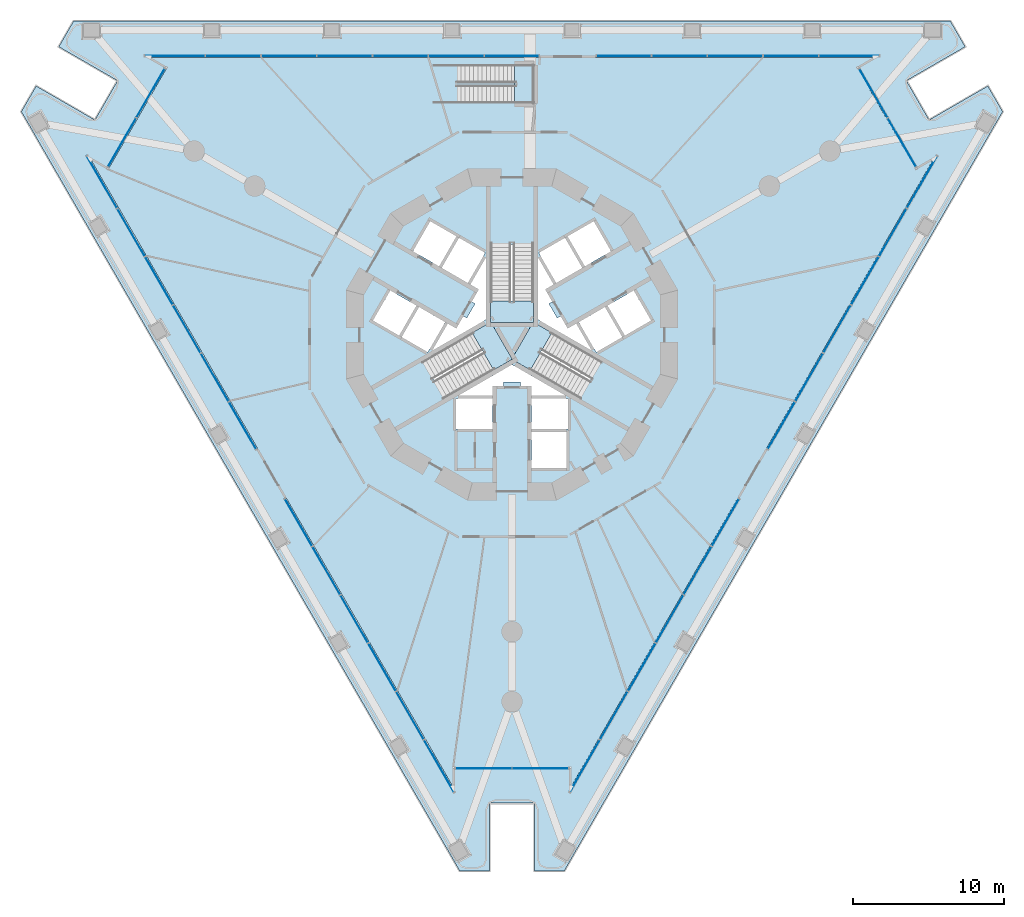
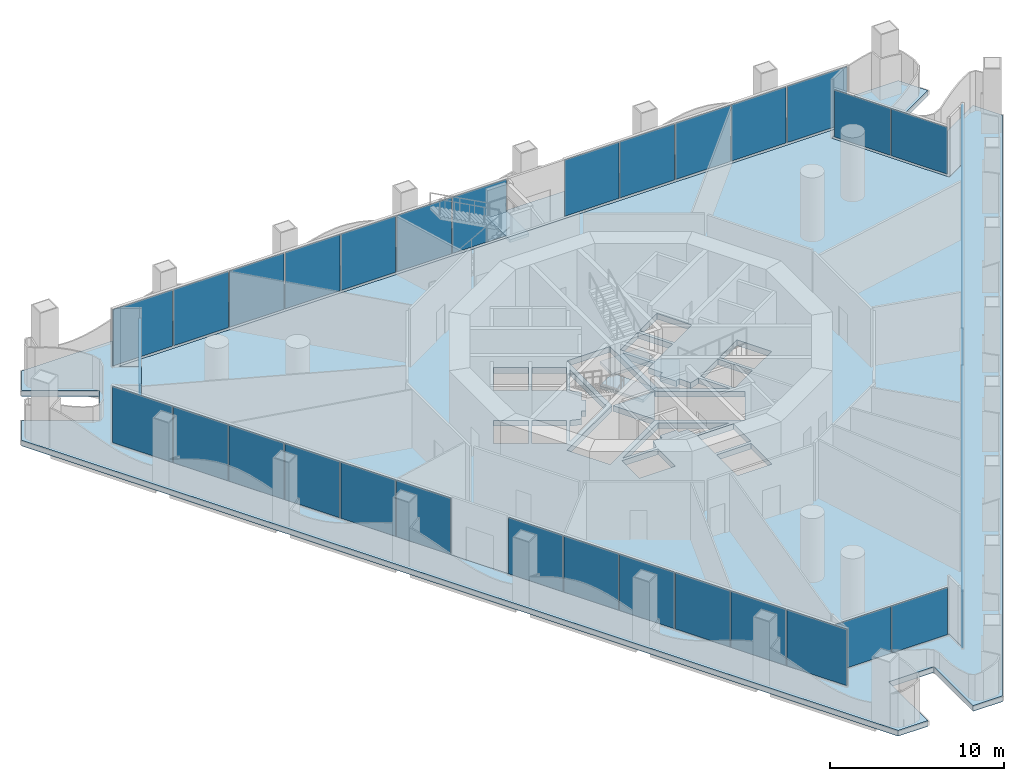
# One storey, part 9 of 21: 42 plates, 7 slabs, 13 elements without a shape of their own.
"""IFC4 building model written with IfcOpenShell, lengths in metres."""

from ifc_helpers import new_model, si_unit, direction, frame, origin, origin_2d, place, context, subcontext, project, spatial, polyline, rectangle, outline, extrude, material, layer, layer_set, type_object, element, aggregate, save


model = new_model("IFC4")

# Units and contexts
model_context = context("Model", 3, precision=1e-05, world=origin(), true_north=direction((0.0, 1.0)))
body_context = subcontext(model_context, "Body", "Model", "MODEL_VIEW")
ifc_project = project(units=[si_unit("LENGTHUNIT", "METRE"), si_unit("AREAUNIT", "SQUARE_METRE"), si_unit("VOLUMEUNIT", "CUBIC_METRE"), si_unit("PLANEANGLEUNIT", "RADIAN"), si_unit("MASSUNIT", "GRAM", prefix="KILO")], contexts=[model_context])

# Site, building, storey
site_placement = place(None, origin())
site = spatial("IfcSite", under=ifc_project, at=site_placement, CompositionType="ELEMENT")
building_placement = place(site_placement, origin())
building = spatial("IfcBuilding", under=site, at=building_placement, Name="Trine Commons Tower", CompositionType="ELEMENT")
storey_placement = place(building_placement, frame((0.0, 0.0, 9.0)))
storey = spatial("IfcBuildingStorey", under=building, at=storey_placement, Name="L01", CompositionType="ELEMENT", Elevation=9.0)

# Curtain wall, plates
ifc_material_1 = material(Name="Corner pocket glazing: anodised aluminium frame with low-emissivity double glazed unit, laminated", Category="aluminium")
ifc_layer_1 = layer(ifc_material_1, 0.179931640625)
ifc_layer_set_1 = layer_set([ifc_layer_1], Name="Corner pocket glazing: anodised aluminium frame with low-emissivity double glazed unit, laminated")
curtain_wall_type_1 = type_object("IfcCurtainWallType", Name="Corner pocket glazing curtain wall CW8", PredefinedType="NOTDEFINED", material=ifc_layer_set_1)
curtain_wall_1_placement = place(storey_placement, origin())
curtain_wall_1 = element("IfcCurtainWall", 1, at=curtain_wall_1_placement, inside=storey, type_object=curtain_wall_type_1, Name="Corner pocket glazing L01 P1.1", PredefinedType="NOTDEFINED")
ifc_material_2 = material(Name="Low-emissivity double glazed unit, laminated")
ifc_layer_2 = layer(ifc_material_2, 0.030029296875)
ifc_layer_set_2 = layer_set([ifc_layer_2], Name="Low-emissivity double glazed unit, laminated")
plate_type_1 = type_object("IfcPlateType", Name="Double glazed unit 30 mm (corner pockets)", PredefinedType="CURTAIN_PANEL", material=ifc_layer_set_2)
plate_1_placement = place(storey_placement, frame((54.15185546875, 75.248291015625, 0.08984375), z_axis=(0.0, 0.0, 1.0), x_axis=(0.5, 0.866025403784, 0.0)))
plate_1 = element("IfcPlate", 2, at=plate_1_placement, type_object=plate_type_1, Name="CW8 panel 1.1", PredefinedType="CURTAIN_PANEL", context=body_context, shape_type="SweptSolid", body=[
    extrude(rectangle(XDim=3.702392578125, YDim=0.030029296875, at=origin_2d()), origin(), (0.0, 0.0, 1.0), 3.300048828125),
])
plate_2_placement = place(storey_placement, frame((56.03564453125, 78.510986328125, 0.08984375), z_axis=(0.0, 0.0, 1.0), x_axis=(0.5, 0.866025403784, 0.0)))
plate_2 = element("IfcPlate", 3, at=plate_2_placement, type_object=plate_type_1, Name="CW8 panel 2.1", PredefinedType="CURTAIN_PANEL", context=body_context, shape_type="SweptSolid", body=[
    extrude(rectangle(XDim=3.702392578125, YDim=0.030029296875, at=origin_2d()), origin(), (0.0, 0.0, 1.0), 3.300048828125),
])
aggregate(curtain_wall_1, [plate_1, plate_2])

curtain_wall_2_placement = place(storey_placement, origin())
curtain_wall_2 = element("IfcCurtainWall", 4, at=curtain_wall_2_placement, inside=storey, type_object=curtain_wall_type_1, Name="Corner pocket glazing L01 P2.1", PredefinedType="NOTDEFINED")
plate_3_placement = place(storey_placement, frame((103.96435546875, 78.510986328125, 0.08984375), z_axis=(0.0, 0.0, 1.0), x_axis=(0.5, -0.866025403784, 0.0)))
plate_3 = element("IfcPlate", 5, at=plate_3_placement, type_object=plate_type_1, Name="CW8 panel 1.1", PredefinedType="CURTAIN_PANEL", context=body_context, shape_type="SweptSolid", body=[
    extrude(rectangle(XDim=3.702392578125, YDim=0.030029296875, at=origin_2d()), origin(), (0.0, 0.0, 1.0), 3.300048828125),
])
plate_4_placement = place(storey_placement, frame((105.84814453125, 75.248291015625, 0.08984375), z_axis=(0.0, 0.0, 1.0), x_axis=(0.5, -0.866025403784, 0.0)))
plate_4 = element("IfcPlate", 6, at=plate_4_placement, type_object=plate_type_1, Name="CW8 panel 2.1", PredefinedType="CURTAIN_PANEL", context=body_context, shape_type="SweptSolid", body=[
    extrude(rectangle(XDim=3.702392578125, YDim=0.030029296875, at=origin_2d()), origin(), (0.0, 0.0, 1.0), 3.300048828125),
])
aggregate(curtain_wall_2, [plate_3, plate_4])

curtain_wall_3_placement = place(storey_placement, origin())
curtain_wall_3 = element("IfcCurtainWall", 7, at=curtain_wall_3_placement, inside=storey, type_object=curtain_wall_type_1, Name="Corner pocket glazing L01 P3.1", PredefinedType="NOTDEFINED")
plate_5_placement = place(storey_placement, frame((81.8837890625, 33.74072265625, 0.08984375), z_axis=(0.0, 0.0, 1.0), x_axis=(-1.0, 0.0, 0.0)))
plate_5 = element("IfcPlate", 8, at=plate_5_placement, type_object=plate_type_1, Name="CW8 panel 1.1", PredefinedType="CURTAIN_PANEL", context=body_context, shape_type="SweptSolid", body=[
    extrude(rectangle(XDim=3.702392578125, YDim=0.030029296875, at=origin_2d()), origin(), (0.0, 0.0, 1.0), 3.300048828125),
])
plate_6_placement = place(storey_placement, frame((78.1162109375, 33.74072265625, 0.08984375), z_axis=(0.0, 0.0, 1.0), x_axis=(-1.0, 0.0, 0.0)))
plate_6 = element("IfcPlate", 9, at=plate_6_placement, type_object=plate_type_1, Name="CW8 panel 2.1", PredefinedType="CURTAIN_PANEL", context=body_context, shape_type="SweptSolid", body=[
    extrude(rectangle(XDim=3.702392578125, YDim=0.030029296875, at=origin_2d()), origin(), (0.0, 0.0, 1.0), 3.300048828125),
])
aggregate(curtain_wall_3, [plate_5, plate_6])

ifc_material_3 = material(Name="Podium glazing: anodised aluminium frame with low-emissivity double glazed unit", Category="aluminium")
ifc_layer_3 = layer(ifc_material_3, 0.199951171875)
ifc_layer_set_3 = layer_set([ifc_layer_3], Name="Podium glazing: anodised aluminium frame with low-emissivity double glazed unit")
curtain_wall_type_2 = type_object("IfcCurtainWallType", Name="Podium glazing curtain wall CW3", PredefinedType="NOTDEFINED", material=ifc_layer_set_3)
curtain_wall_4_placement = place(storey_placement, origin())
curtain_wall_4 = element("IfcCurtainWall", 10, at=curtain_wall_4_placement, inside=storey, type_object=curtain_wall_type_2, Name="Podium glazing L01 F1.1", PredefinedType="NOTDEFINED")
ifc_material_4 = material(Name="Low-emissivity double glazed unit")
ifc_layer_4 = layer(ifc_material_4, 0.031982421875)
ifc_layer_set_4 = layer_set([ifc_layer_4], Name="Low-emissivity double glazed unit")
plate_type_2 = type_object("IfcPlateType", Name="Double glazed unit 32 mm", PredefinedType="CURTAIN_PANEL", material=ifc_layer_set_4)
plate_7_placement = place(storey_placement, frame((57.638427734375, 80.984619140625, 0.10009765625), z_axis=(0.0, 0.0, 1.0), x_axis=(1.0, 0.0, 0.0)))
plate_7 = element("IfcPlate", 11, at=plate_7_placement, type_object=plate_type_2, Name="CW3 panel 1.1", PredefinedType="CURTAIN_PANEL", context=body_context, shape_type="SweptSolid", body=[
    extrude(rectangle(XDim=3.959716796875, YDim=0.031982421875, at=origin_2d()), origin(), (0.0, 0.0, 1.0), 3.949951171875),
])
plate_8_placement = place(storey_placement, frame((61.50537109375, 80.984619140625, 0.10009765625), z_axis=(0.0, 0.0, 1.0), x_axis=(1.0, 0.0, 0.0)))
plate_8 = element("IfcPlate", 12, at=plate_8_placement, type_object=plate_type_2, Name="CW3 panel 2.1", PredefinedType="CURTAIN_PANEL", context=body_context, shape_type="SweptSolid", body=[
    extrude(rectangle(XDim=3.623779296875, YDim=0.031982421875, at=origin_2d()), origin(), (0.0, 0.0, 1.0), 3.949951171875),
])
plate_9_placement = place(storey_placement, frame((65.2041015625, 80.984619140625, 0.10009765625), z_axis=(0.0, 0.0, 1.0), x_axis=(1.0, 0.0, 0.0)))
plate_9 = element("IfcPlate", 13, at=plate_9_placement, type_object=plate_type_2, Name="CW3 panel 3.1", PredefinedType="CURTAIN_PANEL", context=body_context, shape_type="SweptSolid", body=[
    extrude(rectangle(XDim=3.623779296875, YDim=0.031982421875, at=origin_2d()), origin(), (0.0, 0.0, 1.0), 3.949951171875),
])
plate_10_placement = place(storey_placement, frame((68.903076171875, 80.984619140625, 0.10009765625), z_axis=(0.0, 0.0, 1.0), x_axis=(1.0, 0.0, 0.0)))
plate_10 = element("IfcPlate", 14, at=plate_10_placement, type_object=plate_type_2, Name="CW3 panel 4.1", PredefinedType="CURTAIN_PANEL", context=body_context, shape_type="SweptSolid", body=[
    extrude(rectangle(XDim=3.623779296875, YDim=0.031982421875, at=origin_2d()), origin(), (0.0, 0.0, 1.0), 3.949951171875),
])
plate_11_placement = place(storey_placement, frame((72.60205078125, 80.984619140625, 0.10009765625), z_axis=(0.0, 0.0, 1.0), x_axis=(1.0, 0.0, 0.0)))
plate_11 = element("IfcPlate", 15, at=plate_11_placement, type_object=plate_type_2, Name="CW3 panel 5.1", PredefinedType="CURTAIN_PANEL", context=body_context, shape_type="SweptSolid", body=[
    extrude(rectangle(XDim=3.623779296875, YDim=0.031982421875, at=origin_2d()), origin(), (0.0, 0.0, 1.0), 3.949951171875),
])
plate_12_placement = place(storey_placement, frame((76.30078125, 80.984619140625, 0.10009765625), z_axis=(0.0, 0.0, 1.0), x_axis=(1.0, 0.0, 0.0)))
plate_12 = element("IfcPlate", 16, at=plate_12_placement, type_object=plate_type_2, Name="CW3 panel 6.1", PredefinedType="CURTAIN_PANEL", context=body_context, shape_type="SweptSolid", body=[
    extrude(rectangle(XDim=3.623779296875, YDim=0.031982421875, at=origin_2d()), origin(), (0.0, 0.0, 1.0), 3.949951171875),
])
plate_13_placement = place(storey_placement, frame((79.98095703125, 80.984619140625, 0.10009765625), z_axis=(0.0, 0.0, 1.0), x_axis=(1.0, 0.0, 0.0)))
plate_13 = element("IfcPlate", 17, at=plate_13_placement, type_object=plate_type_2, Name="CW3 panel 7.1", PredefinedType="CURTAIN_PANEL", context=body_context, shape_type="SweptSolid", body=[
    extrude(rectangle(XDim=3.58642578125, YDim=0.031982421875, at=origin_2d()), origin(), (0.0, 0.0, 1.0), 3.949951171875),
])
aggregate(curtain_wall_4, [plate_7, plate_8, plate_9, plate_10, plate_11, plate_12, plate_13])

curtain_wall_5_placement = place(storey_placement, origin())
curtain_wall_5 = element("IfcCurtainWall", 18, at=curtain_wall_5_placement, inside=storey, type_object=curtain_wall_type_2, Name="Podium glazing L01 F1.2", PredefinedType="NOTDEFINED")
plate_14_placement = place(storey_placement, frame((87.416259765625, 80.984619140625, 0.10009765625), z_axis=(0.0, 0.0, 1.0), x_axis=(1.0, 0.0, 0.0)))
plate_14 = element("IfcPlate", 19, at=plate_14_placement, type_object=plate_type_2, Name="CW3 panel 1.1", PredefinedType="CURTAIN_PANEL", context=body_context, shape_type="SweptSolid", body=[
    extrude(rectangle(XDim=3.58642578125, YDim=0.031982421875, at=origin_2d()), origin(), (0.0, 0.0, 1.0), 3.949951171875),
])
plate_15_placement = place(storey_placement, frame((91.096435546875, 80.984619140625, 0.10009765625), z_axis=(0.0, 0.0, 1.0), x_axis=(1.0, 0.0, 0.0)))
plate_15 = element("IfcPlate", 20, at=plate_15_placement, type_object=plate_type_2, Name="CW3 panel 2.1", PredefinedType="CURTAIN_PANEL", context=body_context, shape_type="SweptSolid", body=[
    extrude(rectangle(XDim=3.623779296875, YDim=0.031982421875, at=origin_2d()), origin(), (0.0, 0.0, 1.0), 3.949951171875),
])
plate_16_placement = place(storey_placement, frame((94.79541015625, 80.984619140625, 0.10009765625), z_axis=(0.0, 0.0, 1.0), x_axis=(1.0, 0.0, 0.0)))
plate_16 = element("IfcPlate", 21, at=plate_16_placement, type_object=plate_type_2, Name="CW3 panel 3.1", PredefinedType="CURTAIN_PANEL", context=body_context, shape_type="SweptSolid", body=[
    extrude(rectangle(XDim=3.623779296875, YDim=0.031982421875, at=origin_2d()), origin(), (0.0, 0.0, 1.0), 3.949951171875),
])
plate_17_placement = place(storey_placement, frame((98.494384765625, 80.984619140625, 0.10009765625), z_axis=(0.0, 0.0, 1.0), x_axis=(1.0, 0.0, 0.0)))
plate_17 = element("IfcPlate", 22, at=plate_17_placement, type_object=plate_type_2, Name="CW3 panel 4.1", PredefinedType="CURTAIN_PANEL", context=body_context, shape_type="SweptSolid", body=[
    extrude(rectangle(XDim=3.623779296875, YDim=0.031982421875, at=origin_2d()), origin(), (0.0, 0.0, 1.0), 3.949951171875),
])
plate_18_placement = place(storey_placement, frame((102.361328125, 80.984619140625, 0.10009765625), z_axis=(0.0, 0.0, 1.0), x_axis=(1.0, 0.0, 0.0)))
plate_18 = element("IfcPlate", 23, at=plate_18_placement, type_object=plate_type_2, Name="CW3 panel 5.1", PredefinedType="CURTAIN_PANEL", context=body_context, shape_type="SweptSolid", body=[
    extrude(rectangle(XDim=3.960205078125, YDim=0.031982421875, at=origin_2d()), origin(), (0.0, 0.0, 1.0), 3.949951171875),
])
aggregate(curtain_wall_5, [plate_14, plate_15, plate_16, plate_17, plate_18])

curtain_wall_6_placement = place(storey_placement, origin())
curtain_wall_6 = element("IfcCurtainWall", 24, at=curtain_wall_6_placement, inside=storey, type_object=curtain_wall_type_2, Name="Podium glazing L01 F2.1", PredefinedType="NOTDEFINED")
plate_19_placement = place(storey_placement, frame((107.18896484375, 72.623291015625, 0.10009765625), z_axis=(0.0, 0.0, 1.0), x_axis=(-0.5, -0.866025403784, 0.0)))
plate_19 = element("IfcPlate", 25, at=plate_19_placement, type_object=plate_type_2, Name="CW3 panel 1.1", PredefinedType="CURTAIN_PANEL", context=body_context, shape_type="SweptSolid", body=[
    extrude(rectangle(XDim=3.959716796875, YDim=0.031982421875, at=origin_2d()), origin(), (0.0, 0.0, 1.0), 3.949951171875),
])
plate_20_placement = place(storey_placement, frame((105.255615234375, 69.274658203125, 0.10009765625), z_axis=(0.0, 0.0, 1.0), x_axis=(-0.5, -0.866025403784, 0.0)))
plate_20 = element("IfcPlate", 26, at=plate_20_placement, type_object=plate_type_2, Name="CW3 panel 2.1", PredefinedType="CURTAIN_PANEL", context=body_context, shape_type="SweptSolid", body=[
    extrude(rectangle(XDim=3.623779296875, YDim=0.031982421875, at=origin_2d()), origin(), (0.0, 0.0, 1.0), 3.949951171875),
])
plate_21_placement = place(storey_placement, frame((103.406005859375, 66.0712890625, 0.10009765625), z_axis=(0.0, 0.0, 1.0), x_axis=(-0.5, -0.866025403784, 0.0)))
plate_21 = element("IfcPlate", 27, at=plate_21_placement, type_object=plate_type_2, Name="CW3 panel 3.1", PredefinedType="CURTAIN_PANEL", context=body_context, shape_type="SweptSolid", body=[
    extrude(rectangle(XDim=3.623779296875, YDim=0.031982421875, at=origin_2d()), origin(), (0.0, 0.0, 1.0), 3.949951171875),
])
plate_22_placement = place(storey_placement, frame((101.556640625, 62.867919921875, 0.10009765625), z_axis=(0.0, 0.0, 1.0), x_axis=(-0.5, -0.866025403784, 0.0)))
plate_22 = element("IfcPlate", 28, at=plate_22_placement, type_object=plate_type_2, Name="CW3 panel 4.1", PredefinedType="CURTAIN_PANEL", context=body_context, shape_type="SweptSolid", body=[
    extrude(rectangle(XDim=3.623779296875, YDim=0.031982421875, at=origin_2d()), origin(), (0.0, 0.0, 1.0), 3.949951171875),
])
plate_23_placement = place(storey_placement, frame((99.707275390625, 59.66455078125, 0.10009765625), z_axis=(0.0, 0.0, 1.0), x_axis=(-0.5, -0.866025403784, 0.0)))
plate_23 = element("IfcPlate", 29, at=plate_23_placement, type_object=plate_type_2, Name="CW3 panel 5.1", PredefinedType="CURTAIN_PANEL", context=body_context, shape_type="SweptSolid", body=[
    extrude(rectangle(XDim=3.623779296875, YDim=0.031982421875, at=origin_2d()), origin(), (0.0, 0.0, 1.0), 3.949951171875),
])
plate_24_placement = place(storey_placement, frame((97.8671875, 56.4775390625, 0.10009765625), z_axis=(0.0, 0.0, 1.0), x_axis=(-0.5, -0.866025403784, 0.0)))
plate_24 = element("IfcPlate", 30, at=plate_24_placement, type_object=plate_type_2, Name="CW3 panel 6.1", PredefinedType="CURTAIN_PANEL", context=body_context, shape_type="SweptSolid", body=[
    extrude(rectangle(XDim=3.58642578125, YDim=0.031982421875, at=origin_2d()), origin(), (0.0, 0.0, 1.0), 3.949951171875),
])
aggregate(curtain_wall_6, [plate_19, plate_20, plate_21, plate_22, plate_23, plate_24])

curtain_wall_7_placement = place(storey_placement, origin())
curtain_wall_7 = element("IfcCurtainWall", 31, at=curtain_wall_7_placement, inside=storey, type_object=curtain_wall_type_2, Name="Podium glazing L01 F2.2", PredefinedType="NOTDEFINED")
plate_25_placement = place(storey_placement, frame((94.1494140625, 50.038330078125, 0.10009765625), z_axis=(0.0, 0.0, 1.0), x_axis=(-0.5, -0.866025403784, 0.0)))
plate_25 = element("IfcPlate", 32, at=plate_25_placement, type_object=plate_type_2, Name="CW3 panel 1.1", PredefinedType="CURTAIN_PANEL", context=body_context, shape_type="SweptSolid", body=[
    extrude(rectangle(XDim=3.58642578125, YDim=0.031982421875, at=origin_2d()), origin(), (0.0, 0.0, 1.0), 3.949951171875),
])
plate_26_placement = place(storey_placement, frame((92.309326171875, 46.851318359375, 0.10009765625), z_axis=(0.0, 0.0, 1.0), x_axis=(-0.5, -0.866025403784, 0.0)))
plate_26 = element("IfcPlate", 33, at=plate_26_placement, type_object=plate_type_2, Name="CW3 panel 2.1", PredefinedType="CURTAIN_PANEL", context=body_context, shape_type="SweptSolid", body=[
    extrude(rectangle(XDim=3.623779296875, YDim=0.031982421875, at=origin_2d()), origin(), (0.0, 0.0, 1.0), 3.949951171875),
])
plate_27_placement = place(storey_placement, frame((90.4599609375, 43.64794921875, 0.10009765625), z_axis=(0.0, 0.0, 1.0), x_axis=(-0.5, -0.866025403784, 0.0)))
plate_27 = element("IfcPlate", 34, at=plate_27_placement, type_object=plate_type_2, Name="CW3 panel 3.1", PredefinedType="CURTAIN_PANEL", context=body_context, shape_type="SweptSolid", body=[
    extrude(rectangle(XDim=3.623779296875, YDim=0.031982421875, at=origin_2d()), origin(), (0.0, 0.0, 1.0), 3.949951171875),
])
plate_28_placement = place(storey_placement, frame((88.610595703125, 40.444580078125, 0.10009765625), z_axis=(0.0, 0.0, 1.0), x_axis=(-0.5, -0.866025403784, 0.0)))
plate_28 = element("IfcPlate", 35, at=plate_28_placement, type_object=plate_type_2, Name="CW3 panel 4.1", PredefinedType="CURTAIN_PANEL", context=body_context, shape_type="SweptSolid", body=[
    extrude(rectangle(XDim=3.623779296875, YDim=0.031982421875, at=origin_2d()), origin(), (0.0, 0.0, 1.0), 3.949951171875),
])
plate_29_placement = place(storey_placement, frame((86.760986328125, 37.2412109375, 0.10009765625), z_axis=(0.0, 0.0, 1.0), x_axis=(-0.5, -0.866025403784, 0.0)))
plate_29 = element("IfcPlate", 36, at=plate_29_placement, type_object=plate_type_2, Name="CW3 panel 5.1", PredefinedType="CURTAIN_PANEL", context=body_context, shape_type="SweptSolid", body=[
    extrude(rectangle(XDim=3.623779296875, YDim=0.031982421875, at=origin_2d()), origin(), (0.0, 0.0, 1.0), 3.949951171875),
])
plate_30_placement = place(storey_placement, frame((84.827392578125, 33.892333984375, 0.10009765625), z_axis=(0.0, 0.0, 1.0), x_axis=(-0.5, -0.866025403784, 0.0)))
plate_30 = element("IfcPlate", 37, at=plate_30_placement, type_object=plate_type_2, Name="CW3 panel 6.1", PredefinedType="CURTAIN_PANEL", context=body_context, shape_type="SweptSolid", body=[
    extrude(rectangle(XDim=3.960205078125, YDim=0.031982421875, at=origin_2d()), origin(), (0.0, 0.0, 1.0), 3.949951171875),
])
aggregate(curtain_wall_7, [plate_25, plate_26, plate_27, plate_28, plate_29, plate_30])

curtain_wall_8_placement = place(storey_placement, origin())
curtain_wall_8 = element("IfcCurtainWall", 38, at=curtain_wall_8_placement, inside=storey, type_object=curtain_wall_type_2, Name="Podium glazing L01 F3.1", PredefinedType="NOTDEFINED")
plate_31_placement = place(storey_placement, frame((75.172607421875, 33.89208984375, 0.10009765625), z_axis=(0.0, 0.0, 1.0), x_axis=(-0.5, 0.866025403784, 0.0)))
plate_31 = element("IfcPlate", 39, at=plate_31_placement, type_object=plate_type_2, Name="CW3 panel 1.1", PredefinedType="CURTAIN_PANEL", context=body_context, shape_type="SweptSolid", body=[
    extrude(rectangle(XDim=3.959716796875, YDim=0.031982421875, at=origin_2d()), origin(), (0.0, 0.0, 1.0), 3.949951171875),
])
plate_32_placement = place(storey_placement, frame((73.2392578125, 37.24072265625, 0.10009765625), z_axis=(0.0, 0.0, 1.0), x_axis=(-0.5, 0.866025403784, 0.0)))
plate_32 = element("IfcPlate", 40, at=plate_32_placement, type_object=plate_type_2, Name="CW3 panel 2.1", PredefinedType="CURTAIN_PANEL", context=body_context, shape_type="SweptSolid", body=[
    extrude(rectangle(XDim=3.623779296875, YDim=0.031982421875, at=origin_2d()), origin(), (0.0, 0.0, 1.0), 3.949951171875),
])
plate_33_placement = place(storey_placement, frame((71.389892578125, 40.444091796875, 0.10009765625), z_axis=(0.0, 0.0, 1.0), x_axis=(-0.5, 0.866025403784, 0.0)))
plate_33 = element("IfcPlate", 41, at=plate_33_placement, type_object=plate_type_2, Name="CW3 panel 3.1", PredefinedType="CURTAIN_PANEL", context=body_context, shape_type="SweptSolid", body=[
    extrude(rectangle(XDim=3.623779296875, YDim=0.031982421875, at=origin_2d()), origin(), (0.0, 0.0, 1.0), 3.949951171875),
])
plate_34_placement = place(storey_placement, frame((69.540283203125, 43.6474609375, 0.10009765625), z_axis=(0.0, 0.0, 1.0), x_axis=(-0.5, 0.866025403784, 0.0)))
plate_34 = element("IfcPlate", 42, at=plate_34_placement, type_object=plate_type_2, Name="CW3 panel 4.1", PredefinedType="CURTAIN_PANEL", context=body_context, shape_type="SweptSolid", body=[
    extrude(rectangle(XDim=3.623779296875, YDim=0.031982421875, at=origin_2d()), origin(), (0.0, 0.0, 1.0), 3.949951171875),
])
plate_35_placement = place(storey_placement, frame((67.69091796875, 46.850830078125, 0.10009765625), z_axis=(0.0, 0.0, 1.0), x_axis=(-0.5, 0.866025403784, 0.0)))
plate_35 = element("IfcPlate", 43, at=plate_35_placement, type_object=plate_type_2, Name="CW3 panel 5.1", PredefinedType="CURTAIN_PANEL", context=body_context, shape_type="SweptSolid", body=[
    extrude(rectangle(XDim=3.623779296875, YDim=0.031982421875, at=origin_2d()), origin(), (0.0, 0.0, 1.0), 3.949951171875),
])
plate_36_placement = place(storey_placement, frame((65.850830078125, 50.037841796875, 0.10009765625), z_axis=(0.0, 0.0, 1.0), x_axis=(-0.5, 0.866025403784, 0.0)))
plate_36 = element("IfcPlate", 44, at=plate_36_placement, type_object=plate_type_2, Name="CW3 panel 6.1", PredefinedType="CURTAIN_PANEL", context=body_context, shape_type="SweptSolid", body=[
    extrude(rectangle(XDim=3.58642578125, YDim=0.031982421875, at=origin_2d()), origin(), (0.0, 0.0, 1.0), 3.949951171875),
])
aggregate(curtain_wall_8, [plate_31, plate_32, plate_33, plate_34, plate_35, plate_36])

curtain_wall_9_placement = place(storey_placement, origin())
curtain_wall_9 = element("IfcCurtainWall", 45, at=curtain_wall_9_placement, inside=storey, type_object=curtain_wall_type_2, Name="Podium glazing L01 F3.2", PredefinedType="NOTDEFINED")
plate_37_placement = place(storey_placement, frame((62.133056640625, 56.47705078125, 0.10009765625), z_axis=(0.0, 0.0, 1.0), x_axis=(-0.5, 0.866025403784, 0.0)))
plate_37 = element("IfcPlate", 46, at=plate_37_placement, type_object=plate_type_2, Name="CW3 panel 1.1", PredefinedType="CURTAIN_PANEL", context=body_context, shape_type="SweptSolid", body=[
    extrude(rectangle(XDim=3.58642578125, YDim=0.031982421875, at=origin_2d()), origin(), (0.0, 0.0, 1.0), 3.949951171875),
])
plate_38_placement = place(storey_placement, frame((60.293212890625, 59.664306640625, 0.10009765625), z_axis=(0.0, 0.0, 1.0), x_axis=(-0.5, 0.866025403784, 0.0)))
plate_38 = element("IfcPlate", 47, at=plate_38_placement, type_object=plate_type_2, Name="CW3 panel 2.1", PredefinedType="CURTAIN_PANEL", context=body_context, shape_type="SweptSolid", body=[
    extrude(rectangle(XDim=3.623779296875, YDim=0.031982421875, at=origin_2d()), origin(), (0.0, 0.0, 1.0), 3.949951171875),
])
plate_39_placement = place(storey_placement, frame((58.443603515625, 62.867431640625, 0.10009765625), z_axis=(0.0, 0.0, 1.0), x_axis=(-0.5, 0.866025403784, 0.0)))
plate_39 = element("IfcPlate", 48, at=plate_39_placement, type_object=plate_type_2, Name="CW3 panel 3.1", PredefinedType="CURTAIN_PANEL", context=body_context, shape_type="SweptSolid", body=[
    extrude(rectangle(XDim=3.623779296875, YDim=0.031982421875, at=origin_2d()), origin(), (0.0, 0.0, 1.0), 3.949951171875),
])
plate_40_placement = place(storey_placement, frame((56.59423828125, 66.07080078125, 0.10009765625), z_axis=(0.0, 0.0, 1.0), x_axis=(-0.5, 0.866025403784, 0.0)))
plate_40 = element("IfcPlate", 49, at=plate_40_placement, type_object=plate_type_2, Name="CW3 panel 4.1", PredefinedType="CURTAIN_PANEL", context=body_context, shape_type="SweptSolid", body=[
    extrude(rectangle(XDim=3.623779296875, YDim=0.031982421875, at=origin_2d()), origin(), (0.0, 0.0, 1.0), 3.949951171875),
])
plate_41_placement = place(storey_placement, frame((54.74462890625, 69.274169921875, 0.10009765625), z_axis=(0.0, 0.0, 1.0), x_axis=(-0.5, 0.866025403784, 0.0)))
plate_41 = element("IfcPlate", 50, at=plate_41_placement, type_object=plate_type_2, Name="CW3 panel 5.1", PredefinedType="CURTAIN_PANEL", context=body_context, shape_type="SweptSolid", body=[
    extrude(rectangle(XDim=3.623779296875, YDim=0.031982421875, at=origin_2d()), origin(), (0.0, 0.0, 1.0), 3.949951171875),
])
plate_42_placement = place(storey_placement, frame((52.811279296875, 72.623046875, 0.10009765625), z_axis=(0.0, 0.0, 1.0), x_axis=(-0.5, 0.866025403784, 0.0)))
plate_42 = element("IfcPlate", 51, at=plate_42_placement, type_object=plate_type_2, Name="CW3 panel 6.1", PredefinedType="CURTAIN_PANEL", context=body_context, shape_type="SweptSolid", body=[
    extrude(rectangle(XDim=3.960205078125, YDim=0.031982421875, at=origin_2d()), origin(), (0.0, 0.0, 1.0), 3.949951171875),
])
aggregate(curtain_wall_9, [plate_37, plate_38, plate_39, plate_40, plate_41, plate_42])

# Slab
ifc_material_5 = material(Name="Concrete C50/60", Category="concrete")
ifc_layer_5 = layer(ifc_material_5, 0.39990234375)
ifc_layer_set_5 = layer_set([ifc_layer_5], Name="Concrete C50/60")
slab_type_1 = type_object("IfcSlabType", Name="Loggia slab 400 mm, C50/60", PredefinedType="FLOOR", material=ifc_layer_set_5)
slab_1_placement = place(storey_placement, frame((0.0, 0.0, -0.39990234375)))
element("IfcSlab", 52, at=slab_1_placement, inside=storey, type_object=slab_type_1, Name="Loggia slab L01", PredefinedType="FLOOR", context=body_context, shape_type="SweptSolid", body=[
    extrude(outline(polyline([(83.464111328125, 26.930908203125), (112.535888671875, 77.28466796875), (111.5537109375, 78.985595703125), (107.65673828125, 76.735595703125), (106.15673828125, 79.33349609375), (110.0537109375, 81.58349609375), (109.07177734375, 83.28466796875), (50.92822265625, 83.28466796875), (49.9462890625, 81.58349609375), (53.84326171875, 79.33349609375), (52.34326171875, 76.735595703125), (48.4462890625, 78.985595703125), (47.464111328125, 77.28466796875), (76.535888671875, 26.930908203125), (78.5, 26.930908203125), (78.5, 31.430908203125), (81.5, 31.430908203125), (81.5, 26.930908203125), (83.464111328125, 26.930908203125)]), holes=[polyline([(76.10009765625, 32.48583984375), (76.10009765625, 33.830810546875), (83.89990234375, 33.830810546875), (83.89990234375, 32.48583984375), (107.943115234375, 74.129638671875), (106.7783203125, 73.45703125), (102.87841796875, 80.212158203125), (104.043212890625, 80.884521484375), (55.956787109375, 80.884521484375), (57.12158203125, 80.212158203125), (53.2216796875, 73.45703125), (52.056884765625, 74.129638671875), (76.10009765625, 32.48583984375)])]), origin(), (0.0, 0.0, 1.0), 0.39990234375),
])

# Stair, slab
ifc_material_6 = material(Name="Concrete C40/50", Category="concrete")
stair_type_1 = type_object("IfcStairType", Name="Podium stair, dog-leg 1200 mm, C40/50", PredefinedType="HALF_TURN_STAIR", material=ifc_material_6)
stair_1_placement = place(storey_placement, origin())
stair_1 = element("IfcStair", 53, at=stair_1_placement, inside=storey, type_object=stair_type_1, Name="L01 Podium stair", PredefinedType="HALF_TURN_STAIR")
ifc_layer_6 = layer(ifc_material_6, 0.199951171875)
ifc_layer_set_6 = layer_set([ifc_layer_6], Name="Concrete C40/50")
slab_type_2 = type_object("IfcSlabType", Name="Podium stair landing 200 mm, C40/50", PredefinedType="LANDING", material=ifc_layer_set_6)
slab_2_placement = place(storey_placement, frame((0.0, 0.0, 2.050048828125)))
slab_2 = element("IfcSlab", 54, at=slab_2_placement, type_object=slab_type_2, Name="PS1 landing 1", PredefinedType="LANDING", context=body_context, shape_type="SweptSolid", body=[
    extrude(outline(polyline([(80.179931640625, 77.8349609375), (81.4599609375, 77.8349609375), (81.4599609375, 80.385009765625), (80.179931640625, 80.385009765625), (80.179931640625, 77.8349609375)])), origin(), (0.0, 0.0, 1.0), 0.199951171875),
])
aggregate(stair_1, [slab_2])

stair_type_2 = type_object("IfcStairType", Name="Exit stair, dog-leg, 30 risers of 150 mm", PredefinedType="HALF_TURN_STAIR", material=ifc_material_5)
stair_2_placement = place(storey_placement, origin())
stair_2 = element("IfcStair", 55, at=stair_2_placement, inside=storey, type_object=stair_type_2, Name="L01 Exit stair ST1A", PredefinedType="HALF_TURN_STAIR")
ifc_layer_7 = layer(ifc_material_5, 0.199951171875)
ifc_layer_set_7 = layer_set([ifc_layer_7], Name="Concrete C50/60")
slab_type_3 = type_object("IfcSlabType", Name="Stair landing slab 200 mm, C50/60", PredefinedType="LANDING", material=ifc_layer_set_7)
slab_3_placement = place(storey_placement, frame((0.0, 0.0, 2.050048828125)))
slab_3 = element("IfcSlab", 56, at=slab_3_placement, type_object=slab_type_3, Name="ST1A landing 1", PredefinedType="LANDING", context=body_context, shape_type="SweptSolid", body=[
    extrude(outline(polyline([(78.574951171875, 64.730712890625), (78.574951171875, 63.300537109375), (81.425048828125, 63.300537109375), (81.425048828125, 64.730712890625), (78.574951171875, 64.730712890625)])), origin(), (0.0, 0.0, 1.0), 0.199951171875),
])
aggregate(stair_2, [slab_3])

stair_3_placement = place(storey_placement, origin())
stair_3 = element("IfcStair", 57, at=stair_3_placement, inside=storey, type_object=stair_type_2, Name="L01 Exit stair ST2A", PredefinedType="HALF_TURN_STAIR")
slab_4_placement = place(storey_placement, frame((0.0, 0.0, 2.050048828125)))
slab_4 = element("IfcSlab", 58, at=slab_4_placement, type_object=slab_type_3, Name="ST2A landing 1", PredefinedType="LANDING", context=body_context, shape_type="SweptSolid", body=[
    extrude(outline(polyline([(78.78076171875, 60.150634765625), (80.019287109375, 60.86572265625), (78.59423828125, 63.333740234375), (77.355712890625, 62.618896484375), (78.78076171875, 60.150634765625)])), origin(), (0.0, 0.0, 1.0), 0.199951171875),
])
aggregate(stair_3, [slab_4])

stair_4_placement = place(storey_placement, origin())
stair_4 = element("IfcStair", 59, at=stair_4_placement, inside=storey, type_object=stair_type_2, Name="L01 Exit stair ST3A", PredefinedType="HALF_TURN_STAIR")
slab_5_placement = place(storey_placement, frame((0.0, 0.0, 2.050048828125)))
slab_5 = element("IfcSlab", 60, at=slab_5_placement, type_object=slab_type_3, Name="ST3A landing 1", PredefinedType="LANDING", context=body_context, shape_type="SweptSolid", body=[
    extrude(outline(polyline([(82.644287109375, 62.618896484375), (81.40576171875, 63.333740234375), (79.980712890625, 60.86572265625), (81.21923828125, 60.150634765625), (82.644287109375, 62.618896484375)])), origin(), (0.0, 0.0, 1.0), 0.199951171875),
])
aggregate(stair_4, [slab_5])

# Slabs
ifc_layer_8 = layer(ifc_material_5, 0.39990234375)
ifc_layer_set_8 = layer_set([ifc_layer_8], Name="Concrete C50/60")
slab_type_4 = type_object("IfcSlabType", Name="Stilt deck slab 400 mm, C50/60", PredefinedType="FLOOR", material=ifc_layer_set_8)
slab_6_placement = place(storey_placement, frame((0.0, 0.0, -0.39990234375)))
element("IfcSlab", 61, at=slab_6_placement, inside=storey, type_object=slab_type_4, Name="Floor slab L01", PredefinedType="FLOOR", context=body_context, shape_type="SweptSolid", body=[
    extrude(outline(polyline([(52.056884765625, 74.129638671875), (76.10009765625, 32.48583984375), (76.10009765625, 33.830810546875), (83.89990234375, 33.830810546875), (83.89990234375, 32.48583984375), (107.943115234375, 74.129638671875), (106.7783203125, 73.45703125), (102.87841796875, 80.212158203125), (104.043212890625, 80.884521484375), (55.956787109375, 80.884521484375), (57.12158203125, 80.212158203125), (53.2216796875, 73.45703125), (52.056884765625, 74.129638671875)]), holes=[polyline([(76.300048828125, 56.25), (78.699951171875, 56.25), (78.699951171875, 58.25), (76.300048828125, 58.25), (76.300048828125, 56.25)]), polyline([(81.14990234375, 59.10009765625), (81.300048828125, 58.449951171875), (83.56494140625, 58.449951171875), (80.0, 60.508056640625), (76.43505859375, 58.449951171875), (78.699951171875, 58.449951171875), (78.85009765625, 59.10009765625), (79.449951171875, 59.10009765625), (79.449951171875, 59.360107421875), (80.550048828125, 59.360107421875), (80.550048828125, 59.10009765625), (81.14990234375, 59.10009765625)]), polyline([(80.0, 60.8544921875), (84.4755859375, 58.2705078125), (85.900390625, 60.73876953125), (81.425048828125, 63.32275390625), (81.425048828125, 68.490478515625), (78.574951171875, 68.490478515625), (78.574951171875, 63.32275390625), (74.099609375, 60.73876953125), (75.5244140625, 58.2705078125), (80.0, 60.8544921875)]), polyline([(73.83740234375, 64.325927734375), (72.687255859375, 62.333984375), (74.41943359375, 61.333984375), (75.5693359375, 63.325927734375), (73.83740234375, 64.325927734375)]), polyline([(71.93212890625, 65.426025390625), (70.781982421875, 63.43408203125), (72.51416015625, 62.43408203125), (73.6640625, 64.426025390625), (71.93212890625, 65.426025390625)]), polyline([(76.781005859375, 63.722900390625), (76.381103515625, 63.031005859375), (75.742919921875, 63.22607421875), (74.7099609375, 61.43798828125), (78.27490234375, 63.49609375), (78.27490234375, 67.612060546875), (77.242919921875, 65.823974609375), (77.73095703125, 65.368896484375), (77.3310546875, 64.676025390625), (77.555908203125, 64.5458984375), (77.006103515625, 63.593994140625), (76.781005859375, 63.722900390625)]), polyline([(76.4873046875, 68.916015625), (75.33740234375, 66.924072265625), (77.0693359375, 65.924072265625), (78.219482421875, 67.916015625), (76.4873046875, 68.916015625)]), polyline([(74.58203125, 70.015869140625), (73.43212890625, 68.02392578125), (75.1640625, 67.02392578125), (76.314208984375, 69.015869140625), (74.58203125, 70.015869140625)]), polyline([(81.300048828125, 53.64990234375), (83.60009765625, 53.64990234375), (83.60009765625, 56.050048828125), (81.300048828125, 56.050048828125), (81.300048828125, 53.64990234375)]), polyline([(81.300048828125, 56.25), (83.699951171875, 56.25), (83.699951171875, 58.25), (81.300048828125, 58.25), (81.300048828125, 56.25)]), polyline([(87.312744140625, 62.333984375), (86.16259765625, 64.325927734375), (84.4306640625, 63.325927734375), (85.58056640625, 61.333984375), (87.312744140625, 62.333984375)]), polyline([(89.218017578125, 63.43408203125), (88.06787109375, 65.426025390625), (86.3359375, 64.426025390625), (87.48583984375, 62.43408203125), (89.218017578125, 63.43408203125)]), polyline([(83.243896484375, 63.738037109375), (82.993896484375, 63.593994140625), (82.444091796875, 64.5458984375), (82.72705078125, 64.7099609375), (82.281005859375, 65.549072265625), (82.757080078125, 65.823974609375), (81.72509765625, 67.612060546875), (81.72509765625, 63.49609375), (85.2900390625, 61.43798828125), (84.257080078125, 63.22607421875), (83.618896484375, 63.031005859375), (83.243896484375, 63.738037109375)]), polyline([(82.9306640625, 65.924072265625), (84.66259765625, 66.924072265625), (83.5126953125, 68.916015625), (81.780517578125, 67.916015625), (82.9306640625, 65.924072265625)]), polyline([(84.8359375, 67.02392578125), (86.56787109375, 68.02392578125), (85.41796875, 70.015869140625), (83.685791015625, 69.015869140625), (84.8359375, 67.02392578125)])]), origin(), (0.0, 0.0, 1.0), 0.39990234375),
])
slab_7_placement = place(storey_placement, frame((0.0, 0.0, -0.39990234375)))
element("IfcSlab", 62, at=slab_7_placement, inside=storey, type_object=slab_type_4, Name="Floor slab L01 2", PredefinedType="FLOOR", context=body_context, shape_type="SweptSolid", body=[
    extrude(outline(polyline([(78.61328125, 63.300537109375), (80.0, 60.89892578125), (81.38671875, 63.300537109375), (78.61328125, 63.300537109375)])), origin(), (0.0, 0.0, 1.0), 0.39990234375),
])

save(model, "model.ifc")
